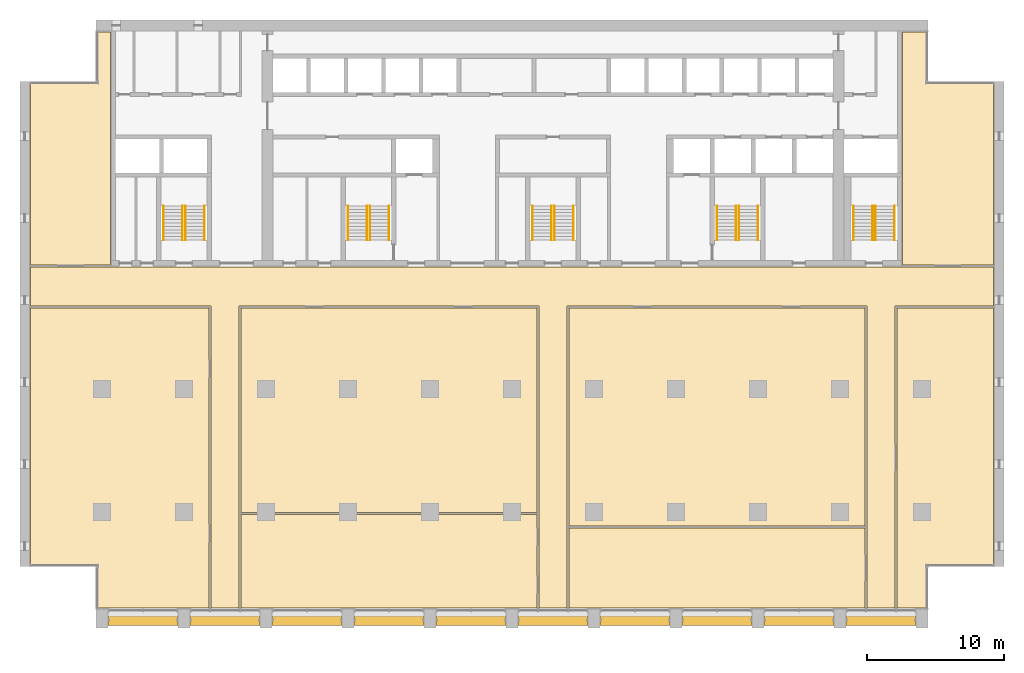
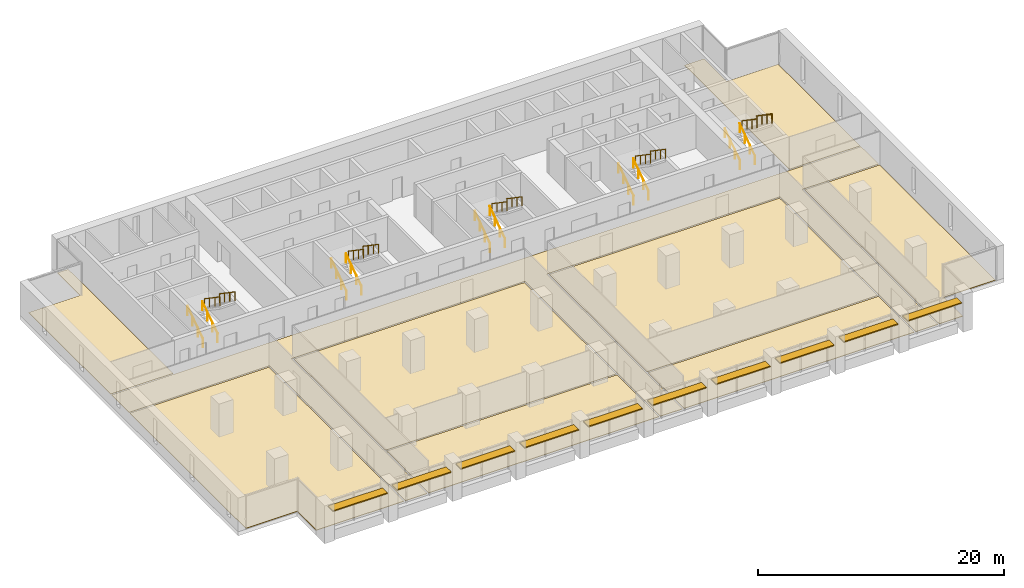
# One storey, part 15 of 15: 20 railings, 10 shading devices, 9 coverings, 5 elements without a shape of their own.
"""IFC4 building model written with IfcOpenShell, lengths in metres."""

import ifcopenshell
import ifcopenshell.guid

model = None  # the IFC model being written
_history = None  # IfcOwnerHistory: only IFC2X3 demands one
_inside = {}  # id of a spatial element -> (the spatial element, [elements in it])
_under = {}  # id of a project, library or spatial element -> (it, [spatial elements below it])
_declared = {}  # id of a project -> (the project, [libraries it declares])
_typed = {}  # id of a type object -> (the type object, [elements of that type])
_made_of = {}  # id of a material, layer set ... -> (it, [elements and type objects made of it])


def new_model(schema):
    """Start an empty IFC model of exactly this schema.

    Asked for "IFC4X3", IfcOpenShell would pick the latest addendum, in which some entities
    have other attributes; the version numbers below select the first issue.
    IFC2X3 requires an IfcOwnerHistory on every rooted entity: one is made here for all.
    """
    global model, _history
    if schema == "IFC4X3":
        model = ifcopenshell.file(schema_version=(4, 3, 0, 0))
    else:
        model = ifcopenshell.file(schema=schema)
    _inside.clear()
    _under.clear()
    _declared.clear()
    _typed.clear()
    _made_of.clear()
    _history = None
    if model.schema == "IFC2X3":
        org = make("IfcOrganization", Name="unknown")
        user = make(
            "IfcPersonAndOrganization",
            ThePerson=make("IfcPerson", FamilyName="unknown"),
            TheOrganization=org,
        )
        app = make(
            "IfcApplication",
            ApplicationDeveloper=org,
            Version="unknown",
            ApplicationFullName="unknown",
            ApplicationIdentifier="unknown",
        )
        _history = make(
            "IfcOwnerHistory",
            OwningUser=user,
            OwningApplication=app,
            ChangeAction="ADDED",
            CreationDate=0,
        )
    return model


def make(cls, **values):
    """One entity of the class cls with the attributes given. An attribute that is None is left unset."""
    return model.create_entity(
        cls, **{name: value for name, value in values.items() if value is not None}
    )


def rooted(cls, **values):
    """An entity with a GlobalId (a new one), such as an element, a storey or a relation."""
    return make(cls, GlobalId=ifcopenshell.guid.new(), OwnerHistory=_history, **values)


def si_unit(unit_type, name, prefix=None):
    """IfcSIUnit, for example si_unit("LENGTHUNIT", "METRE", prefix="MILLI")."""
    return make("IfcSIUnit", UnitType=unit_type, Prefix=prefix, Name=name)


def assignment(units):
    """IfcUnitAssignment: the units of a project."""
    return None if units is None else make("IfcUnitAssignment", Units=units)


def point(xyz):
    """IfcCartesianPoint."""
    return None if xyz is None else make("IfcCartesianPoint", Coordinates=xyz)


def direction(xyz):
    """IfcDirection."""
    return None if xyz is None else make("IfcDirection", DirectionRatios=xyz)


def frame(location, z_axis=None, x_axis=None):
    """IfcAxis2Placement3D, a coordinate frame: its origin and axes. An axis left out is left unset."""
    return make(
        "IfcAxis2Placement3D",
        Location=point(location),
        Axis=direction(z_axis),
        RefDirection=direction(x_axis),
    )


def frame_2d(location, x_axis=None):
    """IfcAxis2Placement2D, a coordinate frame in the plane: its origin and x axis."""
    return make(
        "IfcAxis2Placement2D", Location=point(location), RefDirection=direction(x_axis)
    )


def origin():
    """The frame at (0, 0, 0) with its axes left unset."""
    return frame((0.0, 0.0, 0.0))


def origin_2d():
    """The frame at (0, 0) in the plane with its x axis left unset."""
    return frame_2d((0.0, 0.0))


def place(relative_to, where):
    """IfcLocalPlacement: puts the frame where relative to a parent placement (None: the world)."""
    return make(
        "IfcLocalPlacement", PlacementRelTo=relative_to, RelativePlacement=where
    )


def context(
    kind, dimensions, precision=None, world=None, true_north=None, identifier=None
):
    """IfcGeometricRepresentationContext, for example the 3D "Model" context."""
    return make(
        "IfcGeometricRepresentationContext",
        ContextIdentifier=identifier,
        ContextType=kind,
        CoordinateSpaceDimension=dimensions,
        Precision=precision,
        WorldCoordinateSystem=world,
        TrueNorth=true_north,
    )


def subcontext(parent, identifier, kind, view, scale=None):
    """IfcGeometricRepresentationSubContext, for example "Body" below "Model"."""
    return make(
        "IfcGeometricRepresentationSubContext",
        ContextIdentifier=identifier,
        ContextType=kind,
        ParentContext=parent,
        TargetScale=scale,
        TargetView=view,
    )


def project(units=None, contexts=None):
    """IfcProject with its units and contexts."""
    return rooted(
        "IfcProject",
        Name="project",
        RepresentationContexts=contexts,
        UnitsInContext=assignment(units),
    )


def spatial(cls, under=None, at=None, **own):
    """A site, building, storey or space (cls), placed at a placement, below another one or the project."""
    s = rooted(cls, ObjectPlacement=at, **own)
    if under is not None:
        _under.setdefault(under.id(), (under, []))[1].append(s)
    return s


def polyline(points):
    """IfcPolyline through the points."""
    return make("IfcPolyline", Points=[point(p) for p in points])


def profile(cls, at=None, kind="AREA", **sizes):
    """A parametric profile (cls). Its sizes go by their IFC names, for example OverallWidth=200.0."""
    return make(cls, ProfileType=kind, Position=at, **sizes)


def rectangle(**sizes):
    """IfcRectangleProfileDef."""
    return profile("IfcRectangleProfileDef", **sizes)


def circle(**sizes):
    """IfcCircleProfileDef."""
    return profile("IfcCircleProfileDef", **sizes)


def outline(outer, holes=None, kind="AREA"):
    """IfcArbitraryClosedProfileDef: a profile drawn as a closed curve; with holes, ...WithVoids."""
    if holes is None:
        return make("IfcArbitraryClosedProfileDef", ProfileType=kind, OuterCurve=outer)
    return make(
        "IfcArbitraryProfileDefWithVoids",
        ProfileType=kind,
        OuterCurve=outer,
        InnerCurves=holes,
    )


def extrude(swept, where, along, depth):
    """IfcExtrudedAreaSolid: the profile swept, set in the frame where, extruded along a direction by depth."""
    return make(
        "IfcExtrudedAreaSolid",
        SweptArea=swept,
        Position=where,
        ExtrudedDirection=direction(along),
        Depth=depth,
    )


def shape(context_of_items, identifier, shape_type, items):
    """IfcShapeRepresentation: the items that make up one representation, for example the "Body"."""
    return make(
        "IfcShapeRepresentation",
        ContextOfItems=context_of_items,
        RepresentationIdentifier=identifier,
        RepresentationType=shape_type,
        Items=items,
    )


def material(Name=None, Category=None):
    """IfcMaterial."""
    return make("IfcMaterial", Name=Name, Category=Category)


def layer(
    of_material, thickness, ventilated=None, Name=None, Category=None, Priority=None
):
    """IfcMaterialLayer: one layer of a wall or slab, of a material (None: an air gap)."""
    return make(
        "IfcMaterialLayer",
        Material=of_material,
        LayerThickness=thickness,
        IsVentilated=ventilated,
        Name=Name,
        Category=Category,
        Priority=Priority,
    )


def layer_set(layers, Name=None):
    """IfcMaterialLayerSet."""
    return make("IfcMaterialLayerSet", MaterialLayers=layers, LayerSetName=Name)


def material_profile(
    of_material, cross_section, Name=None, Category=None, Priority=None
):
    """IfcMaterialProfile: a cross section and its material."""
    return make(
        "IfcMaterialProfile",
        Name=Name,
        Material=of_material,
        Profile=cross_section,
        Priority=Priority,
        Category=Category,
    )


def profile_set(profiles, Name=None, composite=None):
    """IfcMaterialProfileSet."""
    return make(
        "IfcMaterialProfileSet",
        Name=Name,
        MaterialProfiles=profiles,
        CompositeProfile=composite,
    )


def made_of(thing, what):
    """Note that an element or type object is made of a material, layer set ...; save() writes the relation."""
    if what is not None:
        _made_of.setdefault(what.id(), (what, []))[1].append(thing)
    return thing


def type_object(cls, material=None, **own):
    """A type object (cls), such as IfcWallType, which elements share."""
    return made_of(rooted(cls, **own), material)


def element(
    cls,
    number,
    at=None,
    inside=None,
    cuts=None,
    type_object=None,
    material=None,
    context=None,
    identifier="Body",
    shape_type=None,
    held_by="IfcProductDefinitionShape",
    body=None,
    shapes=None,
    **own,
):
    """One element of the class cls, such as IfcWall. Its Tag is "e" and its number.

    at: its placement. inside: the storey or other place that contains it. cuts: it is an
    opening in that element (IfcRelVoidsElement). A single representation is given by context,
    identifier, shape_type and body (its items); several are given by shapes. held_by: the class
    of the entity that holds the representations. save() writes the other relations.
    """
    e = rooted(cls, Tag="e%d" % number, ObjectPlacement=at, **own)
    if body is not None:
        shapes = [shape(context, identifier, shape_type, body)]
    if shapes is not None:
        e.Representation = make(held_by, Representations=shapes)
    if inside is not None:
        _inside.setdefault(inside.id(), (inside, []))[1].append(e)
    if cuts is not None:
        rooted(
            "IfcRelVoidsElement", RelatingBuildingElement=cuts, RelatedOpeningElement=e
        )
    if type_object is not None:
        _typed.setdefault(type_object.id(), (type_object, []))[1].append(e)
    return made_of(e, material)


def aggregate(whole, parts):
    """IfcRelAggregates: a whole, such as a stair, and the parts it consists of."""
    return rooted("IfcRelAggregates", RelatingObject=whole, RelatedObjects=parts)


def save(model, path):
    """Write the relations noted so far, then the file.

    IfcRelAggregates (storeys below a building ...), IfcRelContainedInSpatialStructure (elements
    in a storey), IfcRelDefinesByType, IfcRelAssociatesMaterial and IfcRelDeclares: one each for
    every whole, place, type object, material and project.
    """
    for whole, parts in _under.values():
        aggregate(whole, parts)
    for where, things in _inside.values():
        rooted(
            "IfcRelContainedInSpatialStructure",
            RelatedElements=things,
            RelatingStructure=where,
        )
    for kind, things in _typed.values():
        rooted("IfcRelDefinesByType", RelatedObjects=things, RelatingType=kind)
    for what, things in _made_of.values():
        rooted("IfcRelAssociatesMaterial", RelatedObjects=things, RelatingMaterial=what)
    for by, libraries in _declared.values():
        rooted("IfcRelDeclares", RelatingContext=by, RelatedDefinitions=libraries)
    model.write(path)


model = new_model("IFC4")

# Units and contexts
model_context = context("Model", 3, precision=1e-05, world=origin(), true_north=direction((0.0, 1.0)))
body_context = subcontext(model_context, "Body", "Model", "MODEL_VIEW")
ifc_project = project(units=[si_unit("LENGTHUNIT", "METRE"), si_unit("AREAUNIT", "SQUARE_METRE"), si_unit("VOLUMEUNIT", "CUBIC_METRE"), si_unit("PLANEANGLEUNIT", "RADIAN"), si_unit("MASSUNIT", "GRAM", prefix="KILO")], contexts=[model_context])

# Site, building, storey
site_placement = place(None, origin())
site = spatial("IfcSite", under=ifc_project, at=site_placement, CompositionType="ELEMENT")
building_placement = place(site_placement, origin())
building = spatial("IfcBuilding", under=site, at=building_placement, Name="Calvaro Tower", CompositionType="ELEMENT")
storey_placement = place(building_placement, frame((0.0, 0.0, 113.75)))
storey = spatial("IfcBuildingStorey", under=building, at=storey_placement, Name="L28", CompositionType="ELEMENT", Elevation=113.75)

# Shading devices
ifc_material_1 = material(Name="Anodised aluminium", Category="aluminium")
ifc_material_profile = material_profile(ifc_material_1, rectangle(XDim=0.800048828125, YDim=0.10009765625, at=origin_2d()), Name="Brise-soleil blade 800 x 100")
ifc_profile_set = profile_set([ifc_material_profile], Name="Anodised aluminium")
shading_device_type = type_object("IfcShadingDeviceType", Name="Brise-soleil blade 800 x 100", PredefinedType="JALOUSIE", material=ifc_profile_set)
for number, where, z_axis, x_axis, name in (
    (1, (6.449951171875, 2.10009765625, 2.39990234375), (1.0, 0.0, 0.0), (0.0, 1.0, 0.0), "Brise-soleil blade 1"),
    (2, (12.449951171875, 2.10009765625, 2.39990234375), (1.0, 0.0, 0.0), (0.0, 1.0, 0.0), "Brise-soleil blade 2"),
    (3, (18.449951171875, 2.10009765625, 2.39990234375), (1.0, 0.0, 0.0), (0.0, 1.0, 0.0), "Brise-soleil blade 3"),
    (4, (24.449951171875, 2.10009765625, 2.39990234375), (1.0, 0.0, 0.0), (0.0, 1.0, 0.0), "Brise-soleil blade 4"),
    (5, (30.449951171875, 2.10009765625, 2.39990234375), (1.0, 0.0, 0.0), (0.0, 1.0, 0.0), "Brise-soleil blade 5"),
    (6, (36.449951171875, 2.10009765625, 2.39990234375), (1.0, 0.0, 0.0), (0.0, 1.0, 0.0), "Brise-soleil blade 6"),
    (7, (42.449951171875, 2.10009765625, 2.39990234375), (1.0, 0.0, 0.0), (0.0, 1.0, 0.0), "Brise-soleil blade 7"),
    (8, (48.449951171875, 2.10009765625, 2.39990234375), (1.0, 0.0, 0.0), (0.0, 1.0, 0.0), "Brise-soleil blade 8"),
    (9, (54.449951171875, 2.10009765625, 2.39990234375), (1.0, 0.0, 0.0), (0.0, 1.0, 0.0), "Brise-soleil blade 9"),
    (10, (60.449951171875, 2.10009765625, 2.39990234375), (1.0, 0.0, 0.0), (0.0, 1.0, 0.0), "Brise-soleil blade 10"),
):
    element("IfcShadingDevice", number, at=place(storey_placement, frame(where, z_axis=z_axis, x_axis=x_axis)), inside=storey, type_object=shading_device_type, Name=name, PredefinedType="JALOUSIE", context=body_context, shape_type="SweptSolid", body=[
        extrude(rectangle(XDim=0.800048828125, YDim=0.10009765625, at=origin_2d()), origin(), (0.0, 0.0, 1.0), 5.10009765625),
    ])

# Coverings
ifc_material_2 = material(Name="Cement screed with carpet tile finish")
ifc_layer = layer(ifc_material_2, 0.050048828125)
ifc_layer_set = layer_set([ifc_layer], Name="Cement screed with carpet tile finish")
covering_type = type_object("IfcCoveringType", Name="Floor finish 50", PredefinedType="FLOORING", material=ifc_layer_set)
covering_1_placement = place(storey_placement, origin())
element("IfcCovering", 11, at=covering_1_placement, inside=storey, type_object=covering_type, Name="Floor finish 18.01", PredefinedType="FLOORING", context=body_context, shape_type="SweptSolid", body=[
    extrude(outline(polyline([(0.77001953125, 25.070068359375), (0.77001953125, 27.929931640625), (71.22998046875, 27.929931640625), (71.22998046875, 25.070068359375), (64.030029296875, 25.070068359375), (64.030029296875, 2.969970703125), (61.969970703125, 2.969970703125), (61.969970703125, 25.070068359375), (40.030029296875, 25.070068359375), (40.030029296875, 2.969970703125), (37.969970703125, 2.969970703125), (37.969970703125, 25.070068359375), (16.030029296875, 25.070068359375), (16.030029296875, 2.969970703125), (13.969970703125, 2.969970703125), (13.969970703125, 25.070068359375), (0.77001953125, 25.070068359375)])), origin(), (0.0, 0.0, 1.0), 0.050048828125),
])
covering_2_placement = place(storey_placement, origin())
element("IfcCovering", 12, at=covering_2_placement, inside=storey, type_object=covering_type, Name="Floor finish 18.04", PredefinedType="FLOORING", context=body_context, shape_type="SweptSolid", body=[
    extrude(outline(polyline([(13.830078125, 24.929931640625), (13.830078125, 2.969970703125), (5.6201171875, 2.969970703125), (5.6201171875, 6.070068359375), (0.77001953125, 6.070068359375), (0.77001953125, 24.929931640625), (13.830078125, 24.929931640625)])), origin(), (0.0, 0.0, 1.0), 0.050048828125),
])
covering_3_placement = place(storey_placement, origin())
element("IfcCovering", 13, at=covering_3_placement, inside=storey, type_object=covering_type, Name="Floor finish 18.03", PredefinedType="FLOORING", context=body_context, shape_type="SweptSolid", body=[
    extrude(outline(polyline([(16.169921875, 9.830078125), (37.830078125, 9.830078125), (37.830078125, 2.969970703125), (16.169921875, 2.969970703125), (16.169921875, 9.830078125)])), origin(), (0.0, 0.0, 1.0), 0.050048828125),
])
covering_4_placement = place(storey_placement, origin())
element("IfcCovering", 14, at=covering_4_placement, inside=storey, type_object=covering_type, Name="Floor finish 18.07", PredefinedType="FLOORING", context=body_context, shape_type="SweptSolid", body=[
    extrude(outline(polyline([(16.169921875, 9.969970703125), (16.169921875, 24.929931640625), (37.830078125, 24.929931640625), (37.830078125, 9.969970703125), (16.169921875, 9.969970703125)])), origin(), (0.0, 0.0, 1.0), 0.050048828125),
])
covering_5_placement = place(storey_placement, origin())
element("IfcCovering", 15, at=covering_5_placement, inside=storey, type_object=covering_type, Name="Floor finish 18.02", PredefinedType="FLOORING", context=body_context, shape_type="SweptSolid", body=[
    extrude(outline(polyline([(40.169921875, 8.830078125), (61.830078125, 8.830078125), (61.830078125, 2.969970703125), (40.169921875, 2.969970703125), (40.169921875, 8.830078125)])), origin(), (0.0, 0.0, 1.0), 0.050048828125),
])
covering_6_placement = place(storey_placement, origin())
element("IfcCovering", 16, at=covering_6_placement, inside=storey, type_object=covering_type, Name="Floor finish 18.06", PredefinedType="FLOORING", context=body_context, shape_type="SweptSolid", body=[
    extrude(outline(polyline([(40.169921875, 8.969970703125), (40.169921875, 24.929931640625), (61.830078125, 24.929931640625), (61.830078125, 8.969970703125), (40.169921875, 8.969970703125)])), origin(), (0.0, 0.0, 1.0), 0.050048828125),
])
covering_7_placement = place(storey_placement, origin())
element("IfcCovering", 17, at=covering_7_placement, inside=storey, type_object=covering_type, Name="Floor finish 18.05", PredefinedType="FLOORING", context=body_context, shape_type="SweptSolid", body=[
    extrude(outline(polyline([(71.22998046875, 6.070068359375), (66.3798828125, 6.070068359375), (66.3798828125, 2.969970703125), (64.169921875, 2.969970703125), (64.169921875, 24.929931640625), (71.22998046875, 24.929931640625), (71.22998046875, 6.070068359375)])), origin(), (0.0, 0.0, 1.0), 0.050048828125),
])
covering_8_placement = place(storey_placement, origin())
element("IfcCovering", 18, at=covering_8_placement, inside=storey, type_object=covering_type, Name="Floor finish 18.08", PredefinedType="FLOORING", context=body_context, shape_type="SweptSolid", body=[
    extrude(outline(polyline([(6.6298828125, 28.070068359375), (0.77001953125, 28.070068359375), (0.77001953125, 41.429931640625), (5.6201171875, 41.429931640625), (5.6201171875, 45.1298828125), (6.6298828125, 45.1298828125), (6.6298828125, 28.070068359375)])), origin(), (0.0, 0.0, 1.0), 0.050048828125),
])
covering_9_placement = place(storey_placement, origin())
element("IfcCovering", 19, at=covering_9_placement, inside=storey, type_object=covering_type, Name="Floor finish 18.09", PredefinedType="FLOORING", context=body_context, shape_type="SweptSolid", body=[
    extrude(outline(polyline([(71.22998046875, 28.070068359375), (64.570068359375, 28.070068359375), (64.570068359375, 45.1298828125), (66.3798828125, 45.1298828125), (66.3798828125, 41.429931640625), (71.22998046875, 41.429931640625), (71.22998046875, 28.070068359375)])), origin(), (0.0, 0.0, 1.0), 0.050048828125),
])

# Stair, railings
ifc_material_3 = material(Name="Concrete C40/50", Category="concrete")
stair_type = type_object("IfcStairType", Name="Exit stair 1400 2 flights", PredefinedType="HALF_TURN_STAIR", material=ifc_material_3)
stair_1_placement = place(storey_placement, origin())
stair_1 = element("IfcStair", 20, at=stair_1_placement, inside=storey, type_object=stair_type, Name="Exit stair S1", PredefinedType="HALF_TURN_STAIR")
ifc_material_4 = material(Name="Stainless steel", Category="steel")
railing_type = type_object("IfcRailingType", Name="Stair handrail", PredefinedType="HANDRAIL", material=ifc_material_4)
railing_1_placement = place(storey_placement, frame((11.89990234375, 29.89990234375, 0.17041015625)))
railing_1 = element("IfcRailing", 21, at=railing_1_placement, type_object=railing_type, Name="Exit stair 1 handrail", PredefinedType="HANDRAIL", context=body_context, shape_type="SweptSolid", body=[
    extrude(circle(Radius=0.02392578125, at=origin_2d()), frame((0.0, 0.0, 0.8759765625), z_axis=(0.0, 0.826220514629, 0.563346839174), x_axis=(-1.0, 0.0, 0.0)), (0.0, 0.0, 1.0), 3.02587890625),
    extrude(circle(Radius=0.02099609375, at=origin_2d()), frame((0.0, 0.017333984375, 0.01171875)), (0.0, 0.0, 1.0), 0.851806640625),
    extrude(circle(Radius=0.02099609375, at=origin_2d()), frame((0.0, 0.833251953125, 0.568115234375)), (0.0, 0.0, 1.0), 0.851806640625),
    extrude(circle(Radius=0.02099609375, at=origin_2d()), frame((0.0, 1.666748046875, 1.136474609375)), (0.0, 0.0, 1.0), 0.851806640625),
    extrude(circle(Radius=0.02099609375, at=origin_2d()), frame((0.0, 2.482666015625, 1.69287109375)), (0.0, 0.0, 1.0), 0.851806640625),
])
railing_2_placement = place(storey_placement, frame((10.5, 29.89990234375, 0.17041015625)))
railing_2 = element("IfcRailing", 22, at=railing_2_placement, type_object=railing_type, Name="Exit stair 1 handrail", PredefinedType="HANDRAIL", context=body_context, shape_type="SweptSolid", body=[
    extrude(circle(Radius=0.02392578125, at=origin_2d()), frame((0.0, 0.0, 0.8759765625), z_axis=(0.0, 0.826220514629, 0.563346839174), x_axis=(-1.0, 0.0, 0.0)), (0.0, 0.0, 1.0), 3.02587890625),
    extrude(circle(Radius=0.02099609375, at=origin_2d()), frame((0.0, 0.017333984375, 0.01171875)), (0.0, 0.0, 1.0), 0.851806640625),
    extrude(circle(Radius=0.02099609375, at=origin_2d()), frame((0.0, 0.833251953125, 0.568115234375)), (0.0, 0.0, 1.0), 0.851806640625),
    extrude(circle(Radius=0.02099609375, at=origin_2d()), frame((0.0, 1.666748046875, 1.136474609375)), (0.0, 0.0, 1.0), 0.851806640625),
    extrude(circle(Radius=0.02099609375, at=origin_2d()), frame((0.0, 2.482666015625, 1.69287109375)), (0.0, 0.0, 1.0), 0.851806640625),
])
railing_3_placement = place(storey_placement, frame((12.10009765625, 32.39990234375, 2.04541015625)))
railing_3 = element("IfcRailing", 23, at=railing_3_placement, type_object=railing_type, Name="Exit stair 1 handrail", PredefinedType="HANDRAIL", context=body_context, shape_type="SweptSolid", body=[
    extrude(circle(Radius=0.02392578125, at=origin_2d()), frame((0.0, 0.0, 0.8759765625), z_axis=(0.0, -0.826220514629, 0.563346839174), x_axis=(1.0, 0.0, 0.0)), (0.0, 0.0, 1.0), 3.02587890625),
    extrude(circle(Radius=0.02099609375, at=origin_2d()), frame((0.0, -0.017333984375, 0.01171875)), (0.0, 0.0, 1.0), 0.851806640625),
    extrude(circle(Radius=0.02099609375, at=origin_2d()), frame((0.0, -0.833251953125, 0.568115234375)), (0.0, 0.0, 1.0), 0.851806640625),
    extrude(circle(Radius=0.02099609375, at=origin_2d()), frame((0.0, -1.666748046875, 1.136474609375)), (0.0, 0.0, 1.0), 0.851806640625),
    extrude(circle(Radius=0.02099609375, at=origin_2d()), frame((0.0, -2.482666015625, 1.69287109375)), (0.0, 0.0, 1.0), 0.851806640625),
])
railing_4_placement = place(storey_placement, frame((13.5, 32.39990234375, 2.04541015625)))
railing_4 = element("IfcRailing", 24, at=railing_4_placement, type_object=railing_type, Name="Exit stair 1 handrail", PredefinedType="HANDRAIL", context=body_context, shape_type="SweptSolid", body=[
    extrude(circle(Radius=0.02392578125, at=origin_2d()), frame((0.0, 0.0, 0.8759765625), z_axis=(0.0, -0.826220514629, 0.563346839174), x_axis=(1.0, 0.0, 0.0)), (0.0, 0.0, 1.0), 3.02587890625),
    extrude(circle(Radius=0.02099609375, at=origin_2d()), frame((0.0, -0.017333984375, 0.01171875)), (0.0, 0.0, 1.0), 0.851806640625),
    extrude(circle(Radius=0.02099609375, at=origin_2d()), frame((0.0, -0.833251953125, 0.568115234375)), (0.0, 0.0, 1.0), 0.851806640625),
    extrude(circle(Radius=0.02099609375, at=origin_2d()), frame((0.0, -1.666748046875, 1.136474609375)), (0.0, 0.0, 1.0), 0.851806640625),
    extrude(circle(Radius=0.02099609375, at=origin_2d()), frame((0.0, -2.482666015625, 1.69287109375)), (0.0, 0.0, 1.0), 0.851806640625),
])
aggregate(stair_1, [railing_1, railing_2, railing_3, railing_4])

stair_2_placement = place(storey_placement, origin())
stair_2 = element("IfcStair", 25, at=stair_2_placement, inside=storey, type_object=stair_type, Name="Exit stair S2", PredefinedType="HALF_TURN_STAIR")
railing_5_placement = place(storey_placement, frame((25.39990234375, 29.89990234375, 0.17041015625)))
railing_5 = element("IfcRailing", 26, at=railing_5_placement, type_object=railing_type, Name="Exit stair 2 handrail", PredefinedType="HANDRAIL", context=body_context, shape_type="SweptSolid", body=[
    extrude(circle(Radius=0.02392578125, at=origin_2d()), frame((0.0, 0.0, 0.8759765625), z_axis=(0.0, 0.826220514629, 0.563346839174), x_axis=(-1.0, 0.0, 0.0)), (0.0, 0.0, 1.0), 3.02587890625),
    extrude(circle(Radius=0.02099609375, at=origin_2d()), frame((0.0, 0.017333984375, 0.01171875)), (0.0, 0.0, 1.0), 0.851806640625),
    extrude(circle(Radius=0.02099609375, at=origin_2d()), frame((0.0, 0.833251953125, 0.568115234375)), (0.0, 0.0, 1.0), 0.851806640625),
    extrude(circle(Radius=0.02099609375, at=origin_2d()), frame((0.0, 1.666748046875, 1.136474609375)), (0.0, 0.0, 1.0), 0.851806640625),
    extrude(circle(Radius=0.02099609375, at=origin_2d()), frame((0.0, 2.482666015625, 1.69287109375)), (0.0, 0.0, 1.0), 0.851806640625),
])
railing_6_placement = place(storey_placement, frame((24.0, 29.89990234375, 0.17041015625)))
railing_6 = element("IfcRailing", 27, at=railing_6_placement, type_object=railing_type, Name="Exit stair 2 handrail", PredefinedType="HANDRAIL", context=body_context, shape_type="SweptSolid", body=[
    extrude(circle(Radius=0.02392578125, at=origin_2d()), frame((0.0, 0.0, 0.8759765625), z_axis=(0.0, 0.826220514629, 0.563346839174), x_axis=(-1.0, 0.0, 0.0)), (0.0, 0.0, 1.0), 3.02587890625),
    extrude(circle(Radius=0.02099609375, at=origin_2d()), frame((0.0, 0.017333984375, 0.01171875)), (0.0, 0.0, 1.0), 0.851806640625),
    extrude(circle(Radius=0.02099609375, at=origin_2d()), frame((0.0, 0.833251953125, 0.568115234375)), (0.0, 0.0, 1.0), 0.851806640625),
    extrude(circle(Radius=0.02099609375, at=origin_2d()), frame((0.0, 1.666748046875, 1.136474609375)), (0.0, 0.0, 1.0), 0.851806640625),
    extrude(circle(Radius=0.02099609375, at=origin_2d()), frame((0.0, 2.482666015625, 1.69287109375)), (0.0, 0.0, 1.0), 0.851806640625),
])
railing_7_placement = place(storey_placement, frame((25.60009765625, 32.39990234375, 2.04541015625)))
railing_7 = element("IfcRailing", 28, at=railing_7_placement, type_object=railing_type, Name="Exit stair 2 handrail", PredefinedType="HANDRAIL", context=body_context, shape_type="SweptSolid", body=[
    extrude(circle(Radius=0.02392578125, at=origin_2d()), frame((0.0, 0.0, 0.8759765625), z_axis=(0.0, -0.826220514629, 0.563346839174), x_axis=(1.0, 0.0, 0.0)), (0.0, 0.0, 1.0), 3.02587890625),
    extrude(circle(Radius=0.02099609375, at=origin_2d()), frame((0.0, -0.017333984375, 0.01171875)), (0.0, 0.0, 1.0), 0.851806640625),
    extrude(circle(Radius=0.02099609375, at=origin_2d()), frame((0.0, -0.833251953125, 0.568115234375)), (0.0, 0.0, 1.0), 0.851806640625),
    extrude(circle(Radius=0.02099609375, at=origin_2d()), frame((0.0, -1.666748046875, 1.136474609375)), (0.0, 0.0, 1.0), 0.851806640625),
    extrude(circle(Radius=0.02099609375, at=origin_2d()), frame((0.0, -2.482666015625, 1.69287109375)), (0.0, 0.0, 1.0), 0.851806640625),
])
railing_8_placement = place(storey_placement, frame((27.0, 32.39990234375, 2.04541015625)))
railing_8 = element("IfcRailing", 29, at=railing_8_placement, type_object=railing_type, Name="Exit stair 2 handrail", PredefinedType="HANDRAIL", context=body_context, shape_type="SweptSolid", body=[
    extrude(circle(Radius=0.02392578125, at=origin_2d()), frame((0.0, 0.0, 0.8759765625), z_axis=(0.0, -0.826220514629, 0.563346839174), x_axis=(1.0, 0.0, 0.0)), (0.0, 0.0, 1.0), 3.02587890625),
    extrude(circle(Radius=0.02099609375, at=origin_2d()), frame((0.0, -0.017333984375, 0.01171875)), (0.0, 0.0, 1.0), 0.851806640625),
    extrude(circle(Radius=0.02099609375, at=origin_2d()), frame((0.0, -0.833251953125, 0.568115234375)), (0.0, 0.0, 1.0), 0.851806640625),
    extrude(circle(Radius=0.02099609375, at=origin_2d()), frame((0.0, -1.666748046875, 1.136474609375)), (0.0, 0.0, 1.0), 0.851806640625),
    extrude(circle(Radius=0.02099609375, at=origin_2d()), frame((0.0, -2.482666015625, 1.69287109375)), (0.0, 0.0, 1.0), 0.851806640625),
])
aggregate(stair_2, [railing_5, railing_6, railing_7, railing_8])

stair_3_placement = place(storey_placement, origin())
stair_3 = element("IfcStair", 30, at=stair_3_placement, inside=storey, type_object=stair_type, Name="Exit stair S3", PredefinedType="HALF_TURN_STAIR")
railing_9_placement = place(storey_placement, frame((38.89990234375, 29.89990234375, 0.17041015625)))
railing_9 = element("IfcRailing", 31, at=railing_9_placement, type_object=railing_type, Name="Exit stair 3 handrail", PredefinedType="HANDRAIL", context=body_context, shape_type="SweptSolid", body=[
    extrude(circle(Radius=0.02392578125, at=origin_2d()), frame((0.0, 0.0, 0.8759765625), z_axis=(0.0, 0.826220514629, 0.563346839174), x_axis=(-1.0, 0.0, 0.0)), (0.0, 0.0, 1.0), 3.02587890625),
    extrude(circle(Radius=0.02099609375, at=origin_2d()), frame((0.0, 0.017333984375, 0.01171875)), (0.0, 0.0, 1.0), 0.851806640625),
    extrude(circle(Radius=0.02099609375, at=origin_2d()), frame((0.0, 0.833251953125, 0.568115234375)), (0.0, 0.0, 1.0), 0.851806640625),
    extrude(circle(Radius=0.02099609375, at=origin_2d()), frame((0.0, 1.666748046875, 1.136474609375)), (0.0, 0.0, 1.0), 0.851806640625),
    extrude(circle(Radius=0.02099609375, at=origin_2d()), frame((0.0, 2.482666015625, 1.69287109375)), (0.0, 0.0, 1.0), 0.851806640625),
])
railing_10_placement = place(storey_placement, frame((37.5, 29.89990234375, 0.17041015625)))
railing_10 = element("IfcRailing", 32, at=railing_10_placement, type_object=railing_type, Name="Exit stair 3 handrail", PredefinedType="HANDRAIL", context=body_context, shape_type="SweptSolid", body=[
    extrude(circle(Radius=0.02392578125, at=origin_2d()), frame((0.0, 0.0, 0.8759765625), z_axis=(0.0, 0.826220514629, 0.563346839174), x_axis=(-1.0, 0.0, 0.0)), (0.0, 0.0, 1.0), 3.02587890625),
    extrude(circle(Radius=0.02099609375, at=origin_2d()), frame((0.0, 0.017333984375, 0.01171875)), (0.0, 0.0, 1.0), 0.851806640625),
    extrude(circle(Radius=0.02099609375, at=origin_2d()), frame((0.0, 0.833251953125, 0.568115234375)), (0.0, 0.0, 1.0), 0.851806640625),
    extrude(circle(Radius=0.02099609375, at=origin_2d()), frame((0.0, 1.666748046875, 1.136474609375)), (0.0, 0.0, 1.0), 0.851806640625),
    extrude(circle(Radius=0.02099609375, at=origin_2d()), frame((0.0, 2.482666015625, 1.69287109375)), (0.0, 0.0, 1.0), 0.851806640625),
])
railing_11_placement = place(storey_placement, frame((39.10009765625, 32.39990234375, 2.04541015625)))
railing_11 = element("IfcRailing", 33, at=railing_11_placement, type_object=railing_type, Name="Exit stair 3 handrail", PredefinedType="HANDRAIL", context=body_context, shape_type="SweptSolid", body=[
    extrude(circle(Radius=0.02392578125, at=origin_2d()), frame((0.0, 0.0, 0.8759765625), z_axis=(0.0, -0.826220514629, 0.563346839174), x_axis=(1.0, 0.0, 0.0)), (0.0, 0.0, 1.0), 3.02587890625),
    extrude(circle(Radius=0.02099609375, at=origin_2d()), frame((0.0, -0.017333984375, 0.01171875)), (0.0, 0.0, 1.0), 0.851806640625),
    extrude(circle(Radius=0.02099609375, at=origin_2d()), frame((0.0, -0.833251953125, 0.568115234375)), (0.0, 0.0, 1.0), 0.851806640625),
    extrude(circle(Radius=0.02099609375, at=origin_2d()), frame((0.0, -1.666748046875, 1.136474609375)), (0.0, 0.0, 1.0), 0.851806640625),
    extrude(circle(Radius=0.02099609375, at=origin_2d()), frame((0.0, -2.482666015625, 1.69287109375)), (0.0, 0.0, 1.0), 0.851806640625),
])
railing_12_placement = place(storey_placement, frame((40.5, 32.39990234375, 2.04541015625)))
railing_12 = element("IfcRailing", 34, at=railing_12_placement, type_object=railing_type, Name="Exit stair 3 handrail", PredefinedType="HANDRAIL", context=body_context, shape_type="SweptSolid", body=[
    extrude(circle(Radius=0.02392578125, at=origin_2d()), frame((0.0, 0.0, 0.8759765625), z_axis=(0.0, -0.826220514629, 0.563346839174), x_axis=(1.0, 0.0, 0.0)), (0.0, 0.0, 1.0), 3.02587890625),
    extrude(circle(Radius=0.02099609375, at=origin_2d()), frame((0.0, -0.017333984375, 0.01171875)), (0.0, 0.0, 1.0), 0.851806640625),
    extrude(circle(Radius=0.02099609375, at=origin_2d()), frame((0.0, -0.833251953125, 0.568115234375)), (0.0, 0.0, 1.0), 0.851806640625),
    extrude(circle(Radius=0.02099609375, at=origin_2d()), frame((0.0, -1.666748046875, 1.136474609375)), (0.0, 0.0, 1.0), 0.851806640625),
    extrude(circle(Radius=0.02099609375, at=origin_2d()), frame((0.0, -2.482666015625, 1.69287109375)), (0.0, 0.0, 1.0), 0.851806640625),
])
aggregate(stair_3, [railing_9, railing_10, railing_11, railing_12])

stair_4_placement = place(storey_placement, origin())
stair_4 = element("IfcStair", 35, at=stair_4_placement, inside=storey, type_object=stair_type, Name="Exit stair S4", PredefinedType="HALF_TURN_STAIR")
railing_13_placement = place(storey_placement, frame((52.39990234375, 29.89990234375, 0.17041015625)))
railing_13 = element("IfcRailing", 36, at=railing_13_placement, type_object=railing_type, Name="Exit stair 4 handrail", PredefinedType="HANDRAIL", context=body_context, shape_type="SweptSolid", body=[
    extrude(circle(Radius=0.02392578125, at=origin_2d()), frame((0.0, 0.0, 0.8759765625), z_axis=(0.0, 0.826220514629, 0.563346839174), x_axis=(-1.0, 0.0, 0.0)), (0.0, 0.0, 1.0), 3.02587890625),
    extrude(circle(Radius=0.02099609375, at=origin_2d()), frame((0.0, 0.017333984375, 0.01171875)), (0.0, 0.0, 1.0), 0.851806640625),
    extrude(circle(Radius=0.02099609375, at=origin_2d()), frame((0.0, 0.833251953125, 0.568115234375)), (0.0, 0.0, 1.0), 0.851806640625),
    extrude(circle(Radius=0.02099609375, at=origin_2d()), frame((0.0, 1.666748046875, 1.136474609375)), (0.0, 0.0, 1.0), 0.851806640625),
    extrude(circle(Radius=0.02099609375, at=origin_2d()), frame((0.0, 2.482666015625, 1.69287109375)), (0.0, 0.0, 1.0), 0.851806640625),
])
railing_14_placement = place(storey_placement, frame((51.0, 29.89990234375, 0.17041015625)))
railing_14 = element("IfcRailing", 37, at=railing_14_placement, type_object=railing_type, Name="Exit stair 4 handrail", PredefinedType="HANDRAIL", context=body_context, shape_type="SweptSolid", body=[
    extrude(circle(Radius=0.02392578125, at=origin_2d()), frame((0.0, 0.0, 0.8759765625), z_axis=(0.0, 0.826220514629, 0.563346839174), x_axis=(-1.0, 0.0, 0.0)), (0.0, 0.0, 1.0), 3.02587890625),
    extrude(circle(Radius=0.02099609375, at=origin_2d()), frame((0.0, 0.017333984375, 0.01171875)), (0.0, 0.0, 1.0), 0.851806640625),
    extrude(circle(Radius=0.02099609375, at=origin_2d()), frame((0.0, 0.833251953125, 0.568115234375)), (0.0, 0.0, 1.0), 0.851806640625),
    extrude(circle(Radius=0.02099609375, at=origin_2d()), frame((0.0, 1.666748046875, 1.136474609375)), (0.0, 0.0, 1.0), 0.851806640625),
    extrude(circle(Radius=0.02099609375, at=origin_2d()), frame((0.0, 2.482666015625, 1.69287109375)), (0.0, 0.0, 1.0), 0.851806640625),
])
railing_15_placement = place(storey_placement, frame((52.60009765625, 32.39990234375, 2.04541015625)))
railing_15 = element("IfcRailing", 38, at=railing_15_placement, type_object=railing_type, Name="Exit stair 4 handrail", PredefinedType="HANDRAIL", context=body_context, shape_type="SweptSolid", body=[
    extrude(circle(Radius=0.02392578125, at=origin_2d()), frame((0.0, 0.0, 0.8759765625), z_axis=(0.0, -0.826220514629, 0.563346839174), x_axis=(1.0, 0.0, 0.0)), (0.0, 0.0, 1.0), 3.02587890625),
    extrude(circle(Radius=0.02099609375, at=origin_2d()), frame((0.0, -0.017333984375, 0.01171875)), (0.0, 0.0, 1.0), 0.851806640625),
    extrude(circle(Radius=0.02099609375, at=origin_2d()), frame((0.0, -0.833251953125, 0.568115234375)), (0.0, 0.0, 1.0), 0.851806640625),
    extrude(circle(Radius=0.02099609375, at=origin_2d()), frame((0.0, -1.666748046875, 1.136474609375)), (0.0, 0.0, 1.0), 0.851806640625),
    extrude(circle(Radius=0.02099609375, at=origin_2d()), frame((0.0, -2.482666015625, 1.69287109375)), (0.0, 0.0, 1.0), 0.851806640625),
])
railing_16_placement = place(storey_placement, frame((54.0, 32.39990234375, 2.04541015625)))
railing_16 = element("IfcRailing", 39, at=railing_16_placement, type_object=railing_type, Name="Exit stair 4 handrail", PredefinedType="HANDRAIL", context=body_context, shape_type="SweptSolid", body=[
    extrude(circle(Radius=0.02392578125, at=origin_2d()), frame((0.0, 0.0, 0.8759765625), z_axis=(0.0, -0.826220514629, 0.563346839174), x_axis=(1.0, 0.0, 0.0)), (0.0, 0.0, 1.0), 3.02587890625),
    extrude(circle(Radius=0.02099609375, at=origin_2d()), frame((0.0, -0.017333984375, 0.01171875)), (0.0, 0.0, 1.0), 0.851806640625),
    extrude(circle(Radius=0.02099609375, at=origin_2d()), frame((0.0, -0.833251953125, 0.568115234375)), (0.0, 0.0, 1.0), 0.851806640625),
    extrude(circle(Radius=0.02099609375, at=origin_2d()), frame((0.0, -1.666748046875, 1.136474609375)), (0.0, 0.0, 1.0), 0.851806640625),
    extrude(circle(Radius=0.02099609375, at=origin_2d()), frame((0.0, -2.482666015625, 1.69287109375)), (0.0, 0.0, 1.0), 0.851806640625),
])
aggregate(stair_4, [railing_13, railing_14, railing_15, railing_16])

stair_5_placement = place(storey_placement, origin())
stair_5 = element("IfcStair", 40, at=stair_5_placement, inside=storey, type_object=stair_type, Name="Exit stair S5", PredefinedType="HALF_TURN_STAIR")
railing_17_placement = place(storey_placement, frame((62.39990234375, 29.89990234375, 0.17041015625)))
railing_17 = element("IfcRailing", 41, at=railing_17_placement, type_object=railing_type, Name="Exit stair 5 handrail", PredefinedType="HANDRAIL", context=body_context, shape_type="SweptSolid", body=[
    extrude(circle(Radius=0.02392578125, at=origin_2d()), frame((0.0, 0.0, 0.8759765625), z_axis=(0.0, 0.826220514629, 0.563346839174), x_axis=(-1.0, 0.0, 0.0)), (0.0, 0.0, 1.0), 3.02587890625),
    extrude(circle(Radius=0.02099609375, at=origin_2d()), frame((0.0, 0.017333984375, 0.01171875)), (0.0, 0.0, 1.0), 0.851806640625),
    extrude(circle(Radius=0.02099609375, at=origin_2d()), frame((0.0, 0.833251953125, 0.568115234375)), (0.0, 0.0, 1.0), 0.851806640625),
    extrude(circle(Radius=0.02099609375, at=origin_2d()), frame((0.0, 1.666748046875, 1.136474609375)), (0.0, 0.0, 1.0), 0.851806640625),
    extrude(circle(Radius=0.02099609375, at=origin_2d()), frame((0.0, 2.482666015625, 1.69287109375)), (0.0, 0.0, 1.0), 0.851806640625),
])
railing_18_placement = place(storey_placement, frame((61.0, 29.89990234375, 0.17041015625)))
railing_18 = element("IfcRailing", 42, at=railing_18_placement, type_object=railing_type, Name="Exit stair 5 handrail", PredefinedType="HANDRAIL", context=body_context, shape_type="SweptSolid", body=[
    extrude(circle(Radius=0.02392578125, at=origin_2d()), frame((0.0, 0.0, 0.8759765625), z_axis=(0.0, 0.826220514629, 0.563346839174), x_axis=(-1.0, 0.0, 0.0)), (0.0, 0.0, 1.0), 3.02587890625),
    extrude(circle(Radius=0.02099609375, at=origin_2d()), frame((0.0, 0.017333984375, 0.01171875)), (0.0, 0.0, 1.0), 0.851806640625),
    extrude(circle(Radius=0.02099609375, at=origin_2d()), frame((0.0, 0.833251953125, 0.568115234375)), (0.0, 0.0, 1.0), 0.851806640625),
    extrude(circle(Radius=0.02099609375, at=origin_2d()), frame((0.0, 1.666748046875, 1.136474609375)), (0.0, 0.0, 1.0), 0.851806640625),
    extrude(circle(Radius=0.02099609375, at=origin_2d()), frame((0.0, 2.482666015625, 1.69287109375)), (0.0, 0.0, 1.0), 0.851806640625),
])
railing_19_placement = place(storey_placement, frame((62.60009765625, 32.39990234375, 2.04541015625)))
railing_19 = element("IfcRailing", 43, at=railing_19_placement, type_object=railing_type, Name="Exit stair 5 handrail", PredefinedType="HANDRAIL", context=body_context, shape_type="SweptSolid", body=[
    extrude(circle(Radius=0.02392578125, at=origin_2d()), frame((0.0, 0.0, 0.8759765625), z_axis=(0.0, -0.826220514629, 0.563346839174), x_axis=(1.0, 0.0, 0.0)), (0.0, 0.0, 1.0), 3.02587890625),
    extrude(circle(Radius=0.02099609375, at=origin_2d()), frame((0.0, -0.017333984375, 0.01171875)), (0.0, 0.0, 1.0), 0.851806640625),
    extrude(circle(Radius=0.02099609375, at=origin_2d()), frame((0.0, -0.833251953125, 0.568115234375)), (0.0, 0.0, 1.0), 0.851806640625),
    extrude(circle(Radius=0.02099609375, at=origin_2d()), frame((0.0, -1.666748046875, 1.136474609375)), (0.0, 0.0, 1.0), 0.851806640625),
    extrude(circle(Radius=0.02099609375, at=origin_2d()), frame((0.0, -2.482666015625, 1.69287109375)), (0.0, 0.0, 1.0), 0.851806640625),
])
railing_20_placement = place(storey_placement, frame((64.0, 32.39990234375, 2.04541015625)))
railing_20 = element("IfcRailing", 44, at=railing_20_placement, type_object=railing_type, Name="Exit stair 5 handrail", PredefinedType="HANDRAIL", context=body_context, shape_type="SweptSolid", body=[
    extrude(circle(Radius=0.02392578125, at=origin_2d()), frame((0.0, 0.0, 0.8759765625), z_axis=(0.0, -0.826220514629, 0.563346839174), x_axis=(1.0, 0.0, 0.0)), (0.0, 0.0, 1.0), 3.02587890625),
    extrude(circle(Radius=0.02099609375, at=origin_2d()), frame((0.0, -0.017333984375, 0.01171875)), (0.0, 0.0, 1.0), 0.851806640625),
    extrude(circle(Radius=0.02099609375, at=origin_2d()), frame((0.0, -0.833251953125, 0.568115234375)), (0.0, 0.0, 1.0), 0.851806640625),
    extrude(circle(Radius=0.02099609375, at=origin_2d()), frame((0.0, -1.666748046875, 1.136474609375)), (0.0, 0.0, 1.0), 0.851806640625),
    extrude(circle(Radius=0.02099609375, at=origin_2d()), frame((0.0, -2.482666015625, 1.69287109375)), (0.0, 0.0, 1.0), 0.851806640625),
])
aggregate(stair_5, [railing_17, railing_18, railing_19, railing_20])

save(model, "model.ifc")
